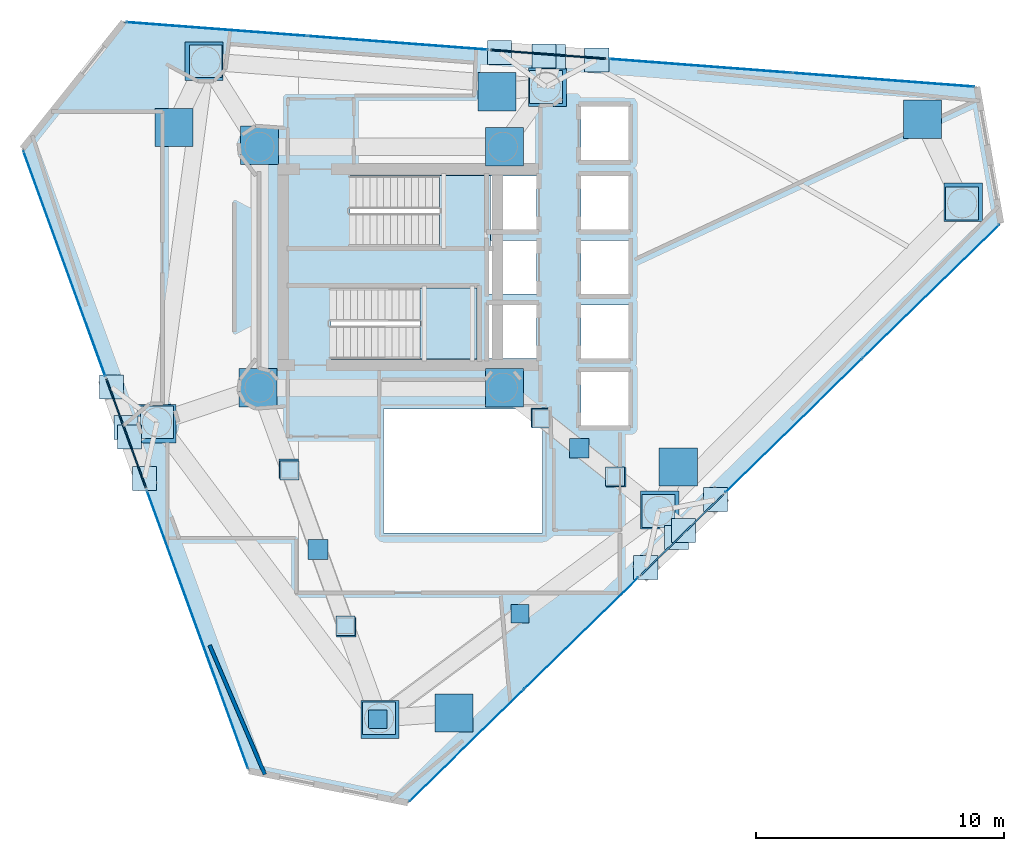
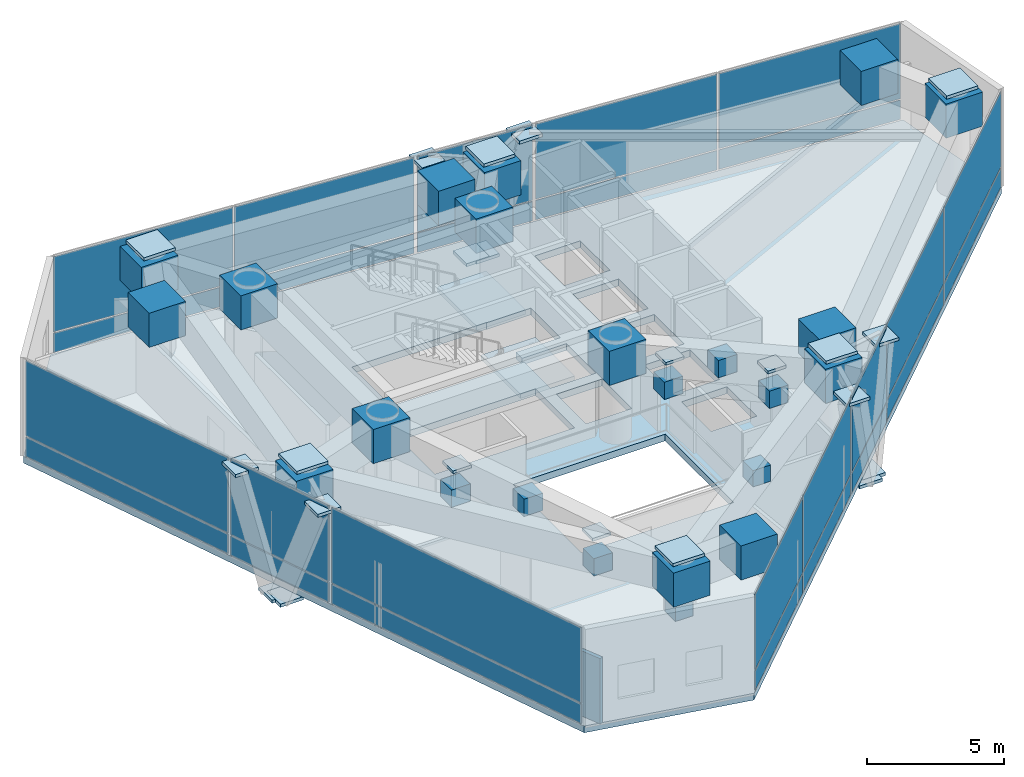
# One storey, part 15 of 20: 71 plates, 3 slabs, 1 wall, 11 elements without a shape of their own.
"""IFC4 building model written with IfcOpenShell, lengths in metres."""

from ifc_helpers import new_model, si_unit, direction, frame, frame_2d, origin, origin_2d, place, context, subcontext, project, spatial, polyline, rectangle, outline, extrude, material, layer, layer_set, type_object, element, aggregate, save


model = new_model("IFC4")

# Units and contexts
model_context = context("Model", 3, precision=1e-05, world=origin(), true_north=direction((0.0, 1.0)))
body_context = subcontext(model_context, "Body", "Model", "MODEL_VIEW")
ifc_project = project(units=[si_unit("LENGTHUNIT", "METRE"), si_unit("AREAUNIT", "SQUARE_METRE"), si_unit("VOLUMEUNIT", "CUBIC_METRE"), si_unit("PLANEANGLEUNIT", "RADIAN"), si_unit("MASSUNIT", "GRAM", prefix="KILO")], contexts=[model_context])

# Site, building, storey
site_placement = place(None, origin())
site = spatial("IfcSite", under=ifc_project, at=site_placement, CompositionType="ELEMENT")
building_placement = place(site_placement, origin())
building = spatial("IfcBuilding", under=site, at=building_placement, Name="Qianvela Tower", CompositionType="ELEMENT")
storey_placement = place(building_placement, frame((0.0, 0.0, 229.89990234375)))
storey = spatial("IfcBuildingStorey", under=building, at=storey_placement, Name="L59", CompositionType="ELEMENT", Elevation=229.89990234375)

# Curtain wall, plates
ifc_material_1 = material(Name="Anodised Architectural Aluminium and Insulated Spandrel Panel", Category="aluminium")
ifc_layer_1 = layer(ifc_material_1, 0.179931640625)
ifc_layer_set_1 = layer_set([ifc_layer_1], Name="Anodised Architectural Aluminium and Insulated Spandrel Panel")
curtain_wall_type_1 = type_object("IfcCurtainWallType", Name="CW-BRACEBAY", PredefinedType="USERDEFINED", material=ifc_layer_set_1)
curtain_wall_1_placement = place(storey_placement, origin())
curtain_wall_1 = element("IfcCurtainWall", 1, at=curtain_wall_1_placement, inside=storey, type_object=curtain_wall_type_1, Name="L59 CW-BRACEBAY Curtain Wall 02B", ObjectType="CURTAIN_WALL_SYSTEM", PredefinedType="USERDEFINED")
ifc_material_2 = material(Name="Insulated Aluminium Spandrel Panel with Mineral-Wool Backpan", Category="aluminium")
ifc_layer_2 = layer(ifc_material_2, 0.06005859375)
ifc_layer_set_2 = layer_set([ifc_layer_2], Name="Insulated Aluminium Spandrel Panel with Mineral-Wool Backpan")
plate_type_1 = type_object("IfcPlateType", Name="CW-BRACEBAY-PNL", PredefinedType="CURTAIN_PANEL", material=ifc_layer_set_2)
plate_1_placement = place(storey_placement, frame((40.22998046875, 37.2744140625, 0.065185546875), z_axis=(0.0, 0.0, 1.0), x_axis=(-0.997115452113, 0.075899770469, 0.0)))
plate_1 = element("IfcPlate", 2, at=plate_1_placement, type_object=plate_type_1, Name="CW-9 panel 1.1", PredefinedType="CURTAIN_PANEL", context=body_context, shape_type="SweptSolid", body=[
    extrude(rectangle(XDim=4.64990234375, YDim=0.06005859375, at=origin_2d()), origin(), (0.0, 0.0, 1.0), 0.8525390625),
])
plate_2_placement = place(storey_placement, frame((40.22998046875, 37.2744140625, 0.982666015625), z_axis=(0.0, 0.0, 1.0), x_axis=(-0.997115452113, 0.075899770469, 0.0)))
plate_2 = element("IfcPlate", 3, at=plate_2_placement, type_object=plate_type_1, Name="CW-9 panel 1.2", PredefinedType="CURTAIN_PANEL", context=body_context, shape_type="SweptSolid", body=[
    extrude(rectangle(XDim=4.64990234375, YDim=0.06005859375, at=origin_2d()), origin(), (0.0, 0.0, 1.0), 3.33251953125),
])
aggregate(curtain_wall_1, [plate_1, plate_2])

curtain_wall_2_placement = place(storey_placement, origin())
curtain_wall_2 = element("IfcCurtainWall", 4, at=curtain_wall_2_placement, inside=storey, type_object=curtain_wall_type_1, Name="L59 CW-BRACEBAY Curtain Wall 04B", ObjectType="CURTAIN_WALL_SYSTEM", PredefinedType="USERDEFINED")
plate_3_placement = place(storey_placement, frame((23.227294921875, 22.005859375, 0.065185546875), z_axis=(0.0, 0.0, 1.0), x_axis=(0.342026333446, -0.939690367743, 0.0)))
plate_3 = element("IfcPlate", 5, at=plate_3_placement, type_object=plate_type_1, Name="CW-9 panel 1.1", PredefinedType="CURTAIN_PANEL", context=body_context, shape_type="SweptSolid", body=[
    extrude(rectangle(XDim=4.659912109375, YDim=0.06005859375, at=origin_2d()), origin(), (0.0, 0.0, 1.0), 0.8525390625),
])
plate_4_placement = place(storey_placement, frame((23.227294921875, 22.005859375, 0.982666015625), z_axis=(0.0, 0.0, 1.0), x_axis=(0.342026333446, -0.939690367743, 0.0)))
plate_4 = element("IfcPlate", 6, at=plate_4_placement, type_object=plate_type_1, Name="CW-9 panel 1.2", PredefinedType="CURTAIN_PANEL", context=body_context, shape_type="SweptSolid", body=[
    extrude(rectangle(XDim=4.659912109375, YDim=0.06005859375, at=origin_2d()), origin(), (0.0, 0.0, 1.0), 3.33251953125),
])
aggregate(curtain_wall_2, [plate_3, plate_4])

curtain_wall_3_placement = place(storey_placement, origin())
curtain_wall_3 = element("IfcCurtainWall", 7, at=curtain_wall_3_placement, inside=storey, type_object=curtain_wall_type_1, Name="L59 CW-BRACEBAY Curtain Wall 06B", ObjectType="CURTAIN_WALL_SYSTEM", PredefinedType="USERDEFINED")
plate_5_placement = place(storey_placement, frame((45.610595703125, 17.917724609375, 0.065185546875), z_axis=(0.0, 0.0, 1.0), x_axis=(0.715057454953, 0.699065687984, 0.0)))
plate_5 = element("IfcPlate", 8, at=plate_5_placement, type_object=plate_type_1, Name="CW-9 panel 1.1", PredefinedType="CURTAIN_PANEL", context=body_context, shape_type="SweptSolid", body=[
    extrude(rectangle(XDim=4.659912109375, YDim=0.06005859375, at=origin_2d()), origin(), (0.0, 0.0, 1.0), 0.8525390625),
])
plate_6_placement = place(storey_placement, frame((45.610595703125, 17.917724609375, 0.982666015625), z_axis=(0.0, 0.0, 1.0), x_axis=(0.715057454953, 0.699065687984, 0.0)))
plate_6 = element("IfcPlate", 9, at=plate_6_placement, type_object=plate_type_1, Name="CW-9 panel 1.2", PredefinedType="CURTAIN_PANEL", context=body_context, shape_type="SweptSolid", body=[
    extrude(rectangle(XDim=4.659912109375, YDim=0.06005859375, at=origin_2d()), origin(), (0.0, 0.0, 1.0), 3.33251953125),
])
aggregate(curtain_wall_3, [plate_5, plate_6])

ifc_material_3 = material(Name="Anodised Architectural Aluminium and Low-E Glass", Category="aluminium")
ifc_layer_3 = layer(ifc_material_3, 0.159912109375)
ifc_layer_set_3 = layer_set([ifc_layer_3], Name="Anodised Architectural Aluminium and Low-E Glass")
curtain_wall_type_2 = type_object("IfcCurtainWallType", Name="CW-COLIV-Z56", PredefinedType="USERDEFINED", material=ifc_layer_set_3)
curtain_wall_4_placement = place(storey_placement, origin())
curtain_wall_4 = element("IfcCurtainWall", 10, at=curtain_wall_4_placement, inside=storey, type_object=curtain_wall_type_2, Name="L59 CW-COLIV-Z56 Curtain Wall 02A", ObjectType="CURTAIN_WALL_SYSTEM", PredefinedType="USERDEFINED")
ifc_material_4 = material(Name="Double-Silver Low-E Insulated Glass", Category="glass")
ifc_layer_4 = layer(ifc_material_4, 0.028076171875)
ifc_layer_set_4 = layer_set([ifc_layer_4], Name="Double-Silver Low-E Insulated Glass")
plate_type_2 = type_object("IfcPlateType", Name="CW-COLIV-Z56-PNL", PredefinedType="CURTAIN_PANEL", material=ifc_layer_set_4)
plate_7_placement = place(storey_placement, frame((53.71728515625, 36.247802734375, 0.06005859375), z_axis=(0.0, 0.0, 1.0), x_axis=(-0.99711560007, 0.075897826699, 0.0)))
plate_7 = element("IfcPlate", 11, at=plate_7_placement, type_object=plate_type_2, Name="CW-5 panel 1.1", PredefinedType="CURTAIN_PANEL", context=body_context, shape_type="SweptSolid", body=[
    extrude(rectangle(XDim=7.33740234375, YDim=0.028076171875, at=origin_2d()), origin(), (0.0, 0.0, 1.0), 0.860107421875),
])
plate_8_placement = place(storey_placement, frame((53.71728515625, 36.247802734375, 0.97998046875), z_axis=(0.0, 0.0, 1.0), x_axis=(-0.99711560007, 0.075897826699, 0.0)))
plate_8 = element("IfcPlate", 12, at=plate_8_placement, type_object=plate_type_2, Name="CW-5 panel 1.2", PredefinedType="CURTAIN_PANEL", context=body_context, shape_type="SweptSolid", body=[
    extrude(rectangle(XDim=7.33740234375, YDim=0.028076171875, at=origin_2d()), origin(), (0.0, 0.0, 1.0), 3.340087890625),
])
plate_9_placement = place(storey_placement, frame((46.336181640625, 36.8095703125, 0.06005859375), z_axis=(0.0, 0.0, 1.0), x_axis=(-0.99711560007, 0.075897826699, 0.0)))
plate_9 = element("IfcPlate", 13, at=plate_9_placement, type_object=plate_type_2, Name="CW-5 panel 2.1", PredefinedType="CURTAIN_PANEL", context=body_context, shape_type="SweptSolid", body=[
    extrude(rectangle(XDim=7.33740234375, YDim=0.028076171875, at=origin_2d()), origin(), (0.0, 0.0, 1.0), 0.860107421875),
])
plate_10_placement = place(storey_placement, frame((46.336181640625, 36.8095703125, 0.97998046875), z_axis=(0.0, 0.0, 1.0), x_axis=(-0.99711560007, 0.075897826699, 0.0)))
plate_10 = element("IfcPlate", 14, at=plate_10_placement, type_object=plate_type_2, Name="CW-5 panel 2.2", PredefinedType="CURTAIN_PANEL", context=body_context, shape_type="SweptSolid", body=[
    extrude(rectangle(XDim=7.33740234375, YDim=0.028076171875, at=origin_2d()), origin(), (0.0, 0.0, 1.0), 3.340087890625),
])
aggregate(curtain_wall_4, [plate_7, plate_8, plate_9, plate_10])

curtain_wall_5_placement = place(storey_placement, origin())
curtain_wall_5 = element("IfcCurtainWall", 15, at=curtain_wall_5_placement, inside=storey, type_object=curtain_wall_type_2, Name="L59 CW-COLIV-Z56 Curtain Wall 02C", ObjectType="CURTAIN_WALL_SYSTEM", PredefinedType="USERDEFINED")
plate_11_placement = place(storey_placement, frame((34.163330078125, 37.736328125, 0.06005859375), z_axis=(0.0, 0.0, 1.0), x_axis=(-0.997115184032, 0.075903292234, 0.0)))
plate_11 = element("IfcPlate", 16, at=plate_11_placement, type_object=plate_type_2, Name="CW-5 panel 1.1", PredefinedType="CURTAIN_PANEL", context=body_context, shape_type="SweptSolid", body=[
    extrude(rectangle(XDim=7.258544921875, YDim=0.028076171875, at=origin_2d()), origin(), (0.0, 0.0, 1.0), 0.860107421875),
])
plate_12_placement = place(storey_placement, frame((34.163330078125, 37.736328125, 0.97998046875), z_axis=(0.0, 0.0, 1.0), x_axis=(-0.997115184032, 0.075903292234, 0.0)))
plate_12 = element("IfcPlate", 17, at=plate_12_placement, type_object=plate_type_2, Name="CW-5 panel 1.2", PredefinedType="CURTAIN_PANEL", context=body_context, shape_type="SweptSolid", body=[
    extrude(rectangle(XDim=7.258544921875, YDim=0.028076171875, at=origin_2d()), origin(), (0.0, 0.0, 1.0), 3.340087890625),
])
plate_13_placement = place(storey_placement, frame((26.86083984375, 38.2919921875, 0.06005859375), z_axis=(0.0, 0.0, 1.0), x_axis=(-0.997115184032, 0.075903292234, 0.0)))
plate_13 = element("IfcPlate", 18, at=plate_13_placement, type_object=plate_type_2, Name="CW-5 panel 2.1", PredefinedType="CURTAIN_PANEL", context=body_context, shape_type="SweptSolid", body=[
    extrude(rectangle(XDim=7.258544921875, YDim=0.028076171875, at=origin_2d()), origin(), (0.0, 0.0, 1.0), 0.860107421875),
])
plate_14_placement = place(storey_placement, frame((26.86083984375, 38.2919921875, 0.97998046875), z_axis=(0.0, 0.0, 1.0), x_axis=(-0.997115184032, 0.075903292234, 0.0)))
plate_14 = element("IfcPlate", 19, at=plate_14_placement, type_object=plate_type_2, Name="CW-5 panel 2.2", PredefinedType="CURTAIN_PANEL", context=body_context, shape_type="SweptSolid", body=[
    extrude(rectangle(XDim=7.258544921875, YDim=0.028076171875, at=origin_2d()), origin(), (0.0, 0.0, 1.0), 3.340087890625),
])
aggregate(curtain_wall_5, [plate_11, plate_12, plate_13, plate_14])

curtain_wall_6_placement = place(storey_placement, origin())
curtain_wall_6 = element("IfcCurtainWall", 20, at=curtain_wall_6_placement, inside=storey, type_object=curtain_wall_type_2, Name="L59 CW-COLIV-Z56 Curtain Wall 04A", ObjectType="CURTAIN_WALL_SYSTEM", PredefinedType="USERDEFINED")
plate_15_placement = place(storey_placement, frame((20.739013671875, 28.842041015625, 0.06005859375), z_axis=(0.0, 0.0, 1.0), x_axis=(0.342018640871, -0.939693167633, 0.0)))
plate_15 = element("IfcPlate", 21, at=plate_15_placement, type_object=plate_type_2, Name="CW-5 panel 1.1", PredefinedType="CURTAIN_PANEL", context=body_context, shape_type="SweptSolid", body=[
    extrude(rectangle(XDim=9.6298828125, YDim=0.028076171875, at=origin_2d()), origin(), (0.0, 0.0, 1.0), 0.860107421875),
])
plate_16_placement = place(storey_placement, frame((20.739013671875, 28.842041015625, 0.97998046875), z_axis=(0.0, 0.0, 1.0), x_axis=(0.342018640871, -0.939693167633, 0.0)))
plate_16 = element("IfcPlate", 22, at=plate_16_placement, type_object=plate_type_2, Name="CW-5 panel 1.2", PredefinedType="CURTAIN_PANEL", context=body_context, shape_type="SweptSolid", body=[
    extrude(rectangle(XDim=9.6298828125, YDim=0.028076171875, at=origin_2d()), origin(), (0.0, 0.0, 1.0), 3.340087890625),
])
aggregate(curtain_wall_6, [plate_15, plate_16])

curtain_wall_7_placement = place(storey_placement, origin())
curtain_wall_7 = element("IfcCurtainWall", 23, at=curtain_wall_7_placement, inside=storey, type_object=curtain_wall_type_2, Name="L59 CW-COLIV-Z56 Curtain Wall 04C", ObjectType="CURTAIN_WALL_SYSTEM", PredefinedType="USERDEFINED")
plate_17_placement = place(storey_placement, frame((26.101318359375, 14.109375, 0.06005859375), z_axis=(0.0, 0.0, 1.0), x_axis=(0.34201700593, -0.939693762699, 0.0)))
plate_17 = element("IfcPlate", 24, at=plate_17_placement, type_object=plate_type_2, Name="CW-5 panel 1.1", PredefinedType="CURTAIN_PANEL", context=body_context, shape_type="SweptSolid", body=[
    extrude(rectangle(XDim=11.886474609375, YDim=0.028076171875, at=origin_2d()), origin(), (0.0, 0.0, 1.0), 0.860107421875),
])
plate_18_placement = place(storey_placement, frame((26.101318359375, 14.109375, 0.97998046875), z_axis=(0.0, 0.0, 1.0), x_axis=(0.34201700593, -0.939693762699, 0.0)))
plate_18 = element("IfcPlate", 25, at=plate_18_placement, type_object=plate_type_2, Name="CW-5 panel 1.2", PredefinedType="CURTAIN_PANEL", context=body_context, shape_type="SweptSolid", body=[
    extrude(rectangle(XDim=11.886474609375, YDim=0.028076171875, at=origin_2d()), origin(), (0.0, 0.0, 1.0), 3.340087890625),
])
aggregate(curtain_wall_7, [plate_17, plate_18])

curtain_wall_8_placement = place(storey_placement, origin())
curtain_wall_8 = element("IfcCurtainWall", 26, at=curtain_wall_8_placement, inside=storey, type_object=curtain_wall_type_2, Name="L59 CW-COLIV-Z56 Curtain Wall 06A", ObjectType="CURTAIN_WALL_SYSTEM", PredefinedType="USERDEFINED")
plate_19_placement = place(storey_placement, frame((36.943359375, 9.444091796875, 0.06005859375), z_axis=(0.0, 0.0, 1.0), x_axis=(0.715044807452, 0.699078624574, 0.0)))
plate_19 = element("IfcPlate", 27, at=plate_19_placement, type_object=plate_type_2, Name="CW-5 panel 1.1", PredefinedType="CURTAIN_PANEL", context=body_context, shape_type="SweptSolid", body=[
    extrude(rectangle(XDim=6.3974609375, YDim=0.028076171875, at=origin_2d()), origin(), (0.0, 0.0, 1.0), 0.860107421875),
])
plate_20_placement = place(storey_placement, frame((36.943359375, 9.444091796875, 0.97998046875), z_axis=(0.0, 0.0, 1.0), x_axis=(0.715044807452, 0.699078624574, 0.0)))
plate_20 = element("IfcPlate", 28, at=plate_20_placement, type_object=plate_type_2, Name="CW-5 panel 1.2", PredefinedType="CURTAIN_PANEL", context=body_context, shape_type="SweptSolid", body=[
    extrude(rectangle(XDim=6.3974609375, YDim=0.028076171875, at=origin_2d()), origin(), (0.0, 0.0, 1.0), 3.340087890625),
])
plate_21_placement = place(storey_placement, frame((41.564208984375, 13.9619140625, 0.06005859375), z_axis=(0.0, 0.0, 1.0), x_axis=(0.715044807452, 0.699078624574, 0.0)))
plate_21 = element("IfcPlate", 29, at=plate_21_placement, type_object=plate_type_2, Name="CW-5 panel 2.1", PredefinedType="CURTAIN_PANEL", context=body_context, shape_type="SweptSolid", body=[
    extrude(rectangle(XDim=6.3974609375, YDim=0.028076171875, at=origin_2d()), origin(), (0.0, 0.0, 1.0), 0.860107421875),
])
plate_22_placement = place(storey_placement, frame((41.564208984375, 13.9619140625, 0.97998046875), z_axis=(0.0, 0.0, 1.0), x_axis=(0.715044807452, 0.699078624574, 0.0)))
plate_22 = element("IfcPlate", 30, at=plate_22_placement, type_object=plate_type_2, Name="CW-5 panel 2.2", PredefinedType="CURTAIN_PANEL", context=body_context, shape_type="SweptSolid", body=[
    extrude(rectangle(XDim=6.3974609375, YDim=0.028076171875, at=origin_2d()), origin(), (0.0, 0.0, 1.0), 3.340087890625),
])
aggregate(curtain_wall_8, [plate_19, plate_20, plate_21, plate_22])

curtain_wall_9_placement = place(storey_placement, origin())
curtain_wall_9 = element("IfcCurtainWall", 31, at=curtain_wall_9_placement, inside=storey, type_object=curtain_wall_type_2, Name="L59 CW-COLIV-Z56 Curtain Wall 06C", ObjectType="CURTAIN_WALL_SYSTEM", PredefinedType="USERDEFINED")
plate_23_placement = place(storey_placement, frame((50.10888671875, 22.3154296875, 0.06005859375), z_axis=(0.0, 0.0, 1.0), x_axis=(0.715045895154, 0.699077512028, 0.0)))
plate_23 = element("IfcPlate", 32, at=plate_23_placement, type_object=plate_type_2, Name="CW-5 panel 1.1", PredefinedType="CURTAIN_PANEL", context=body_context, shape_type="SweptSolid", body=[
    extrude(rectangle(XDim=7.66162109375, YDim=0.028076171875, at=origin_2d()), origin(), (0.0, 0.0, 1.0), 0.860107421875),
])
plate_24_placement = place(storey_placement, frame((50.10888671875, 22.3154296875, 0.97998046875), z_axis=(0.0, 0.0, 1.0), x_axis=(0.715045895154, 0.699077512028, 0.0)))
plate_24 = element("IfcPlate", 33, at=plate_24_placement, type_object=plate_type_2, Name="CW-5 panel 1.2", PredefinedType="CURTAIN_PANEL", context=body_context, shape_type="SweptSolid", body=[
    extrude(rectangle(XDim=7.66162109375, YDim=0.028076171875, at=origin_2d()), origin(), (0.0, 0.0, 1.0), 3.340087890625),
])
plate_25_placement = place(storey_placement, frame((55.633544921875, 27.717041015625, 0.06005859375), z_axis=(0.0, 0.0, 1.0), x_axis=(0.715045895154, 0.699077512028, 0.0)))
plate_25 = element("IfcPlate", 34, at=plate_25_placement, type_object=plate_type_2, Name="CW-5 panel 2.1", PredefinedType="CURTAIN_PANEL", context=body_context, shape_type="SweptSolid", body=[
    extrude(rectangle(XDim=7.66162109375, YDim=0.028076171875, at=origin_2d()), origin(), (0.0, 0.0, 1.0), 0.860107421875),
])
plate_26_placement = place(storey_placement, frame((55.633544921875, 27.717041015625, 0.97998046875), z_axis=(0.0, 0.0, 1.0), x_axis=(0.715045895154, 0.699077512028, 0.0)))
plate_26 = element("IfcPlate", 35, at=plate_26_placement, type_object=plate_type_2, Name="CW-5 panel 2.2", PredefinedType="CURTAIN_PANEL", context=body_context, shape_type="SweptSolid", body=[
    extrude(rectangle(XDim=7.66162109375, YDim=0.028076171875, at=origin_2d()), origin(), (0.0, 0.0, 1.0), 3.340087890625),
])
aggregate(curtain_wall_9, [plate_23, plate_24, plate_25, plate_26])

# Plates
ifc_material_5 = material(Name="Steel Q420GJC", Category="steel")
ifc_layer_5 = layer(ifc_material_5, 0.1298828125)
ifc_layer_set_5 = layer_set([ifc_layer_5], Name="Steel Q420GJC")
plate_type_3 = type_object("IfcPlateType", Name="PT-ENDCAP-130", PredefinedType="USERDEFINED", material=ifc_layer_set_5)
for number, where, z_axis, x_axis, name in (
    (36, (29.80322265625, 20.520263671875, 3.673095703125), (0.0, 0.0, 1.0), (1.0, 0.0, 0.0), "L59 Hollow Section End Cap Plate B"),
    (37, (32.0654296875, 14.26025390625, 3.673095703125), (0.0, 0.0, 1.0), (1.0, 0.0, 0.0), "L59 Hollow Section End Cap Plate B"),
    (38, (39.966796875, 22.6083984375, 3.673095703125), (0.0, 0.0, 1.0), (1.0, 0.0, 0.0), "L59 Hollow Section End Cap Plate B"),
    (39, (42.912109375, 20.273681640625, 3.673095703125), (0.0, 0.0, 1.0), (1.0, 0.0, 0.0), "L59 Hollow Section End Cap Plate B"),
):
    element("IfcPlate", number, at=place(storey_placement, frame(where, z_axis=z_axis, x_axis=x_axis)), inside=storey, type_object=plate_type_3, Name=name, ObjectType="END_CAP", PredefinedType="USERDEFINED", context=body_context, shape_type="SweptSolid", body=[
        extrude(rectangle(XDim=0.77001953125, YDim=0.77001953125, at=origin_2d()), origin(), (0.0, 0.0, 1.0), 0.1298828125),
    ])
ifc_material_6 = material(Name="Steel Q420GJC", Category="steel")
ifc_layer_6 = layer(ifc_material_6, 0.139892578125)
ifc_layer_set_6 = layer_set([ifc_layer_6], Name="Steel Q420GJC")
plate_type_4 = type_object("IfcPlateType", Name="PT-GUSSET-NODE-140", PredefinedType="USERDEFINED", material=ifc_layer_set_6)
for number, where, z_axis, x_axis, name in (
    (40, (56.89697265625, 31.27001953125, 4.59521484375), (0.0, 0.0, 1.0), (1.0, 0.0, 0.0), "L59 Node Gusset Plate TOP"),
    (41, (40.131103515625, 35.9580078125, 4.59521484375), (0.0, 0.0, 1.0), (1.0, 0.0, 0.0), "L59 Node Gusset Plate TOP"),
    (42, (26.430908203125, 36.991943359375, 4.59521484375), (0.0, 0.0, 1.0), (1.0, 0.0, 0.0), "L59 Node Gusset Plate TOP"),
    (43, (24.471923828125, 22.4599609375, 4.59521484375), (0.0, 0.0, 1.0), (1.0, 0.0, 0.0), "L59 Node Gusset Plate TOP"),
    (44, (33.4130859375, 10.531005859375, 4.59521484375), (0.0, 0.0, 1.0), (1.0, 0.0, 0.0), "L59 Node Gusset Plate TOP"),
    (45, (44.6669921875, 18.883056640625, 4.59521484375), (0.0, 0.0, 1.0), (1.0, 0.0, 0.0), "L59 Node Gusset Plate TOP"),
):
    element("IfcPlate", number, at=place(storey_placement, frame(where, z_axis=z_axis, x_axis=x_axis)), inside=storey, type_object=plate_type_4, Name=name, ObjectType="GUSSET_PLATE", PredefinedType="USERDEFINED", context=body_context, shape_type="SweptSolid", body=[
        extrude(rectangle(XDim=1.320068359375, YDim=1.320068359375, at=origin_2d()), origin(), (0.0, 0.0, 1.0), 0.139892578125),
    ])
for number, where, z_axis, x_axis, name in (
    (46, (40.443359375, 37.177978515625, -0.73291015625), (0.0, 0.0, 1.0), (1.0, 0.0, 0.0), "L59 Node Gusset Plate A"),
    (47, (42.18017578125, 37.0458984375, 4.0693359375), (0.0, 0.0, 1.0), (1.0, 0.0, 0.0), "L59 Node Gusset Plate B"),
    (48, (40.04931640625, 37.2080078125, -0.73291015625), (0.0, 0.0, 1.0), (1.0, 0.0, 0.0), "L59 Node Gusset Plate A"),
    (49, (38.26953125, 37.343505859375, 4.06884765625), (0.0, 0.0, 1.0), (1.0, 0.0, 0.0), "L59 Node Gusset Plate B"),
    (50, (23.22705078125, 22.240234375, -0.73291015625), (0.0, 0.0, 1.0), (1.0, 0.0, 0.0), "L59 Node Gusset Plate A"),
    (51, (22.63134765625, 23.876708984375, 4.0693359375), (0.0, 0.0, 1.0), (1.0, 0.0, 0.0), "L59 Node Gusset Plate B"),
    (52, (23.3623046875, 21.868896484375, -0.73291015625), (0.0, 0.0, 1.0), (1.0, 0.0, 0.0), "L59 Node Gusset Plate A"),
    (53, (23.97265625, 20.19140625, 4.06884765625), (0.0, 0.0, 1.0), (1.0, 0.0, 0.0), "L59 Node Gusset Plate B"),
    (54, (45.3974609375, 17.8212890625, -0.73291015625), (0.0, 0.0, 1.0), (1.0, 0.0, 0.0), "L59 Node Gusset Plate A"),
    (55, (44.15283203125, 16.604248046875, 4.0693359375), (0.0, 0.0, 1.0), (1.0, 0.0, 0.0), "L59 Node Gusset Plate B"),
    (56, (45.679931640625, 18.09765625, -0.73291015625), (0.0, 0.0, 1.0), (1.0, 0.0, 0.0), "L59 Node Gusset Plate A"),
    (57, (46.95703125, 19.345947265625, 4.06884765625), (0.0, 0.0, 1.0), (1.0, 0.0, 0.0), "L59 Node Gusset Plate B"),
):
    element("IfcPlate", number, at=place(storey_placement, frame(where, z_axis=z_axis, x_axis=x_axis)), inside=storey, type_object=plate_type_4, Name=name, ObjectType="GUSSET_PLATE", PredefinedType="USERDEFINED", context=body_context, shape_type="SweptSolid", body=[
        extrude(rectangle(XDim=0.969970703125, YDim=0.969970703125, at=origin_2d()), origin(), (0.0, 0.0, 1.0), 0.139892578125),
    ])
for number, where, z_axis, x_axis, name in (
    (58, (28.534912109375, 23.85009765625, 2.91796875), (0.0, 0.0, 1.0), (1.0, 0.0, 0.0), "L59 Node Gusset Plate A"),
    (59, (38.465087890625, 23.85009765625, 2.91796875), (0.0, 0.0, 1.0), (1.0, 0.0, 0.0), "L59 Node Gusset Plate B"),
    (60, (28.60009765625, 33.614990234375, 2.91796875), (0.0, 0.0, 1.0), (1.0, 0.0, 0.0), "L59 Node Gusset Plate A"),
    (61, (38.465087890625, 33.550048828125, 2.91796875), (0.0, 0.0, 1.0), (1.0, 0.0, 0.0), "L59 Node Gusset Plate B"),
    (62, (40.19580078125, 35.953125, 2.91796875), (0.0, 0.0, 1.0), (1.0, 0.0, 0.0), "L59 Node Gusset Plate A"),
    (63, (26.3662109375, 36.996826171875, 2.91796875), (0.0, 0.0, 1.0), (1.0, 0.0, 0.0), "L59 Node Gusset Plate B"),
    (64, (24.46337890625, 22.3955078125, 2.91796875), (0.0, 0.0, 1.0), (1.0, 0.0, 0.0), "L59 Node Gusset Plate B"),
    (65, (33.451904296875, 10.47900390625, 2.91796875), (0.0, 0.0, 1.0), (1.0, 0.0, 0.0), "L59 Node Gusset Plate B"),
    (66, (44.71923828125, 18.921630859375, 2.91796875), (0.0, 0.0, 1.0), (1.0, 0.0, 0.0), "L59 Node Gusset Plate B"),
):
    element("IfcPlate", number, at=place(storey_placement, frame(where, z_axis=z_axis, x_axis=x_axis)), inside=storey, type_object=plate_type_4, Name=name, ObjectType="GUSSET_PLATE", PredefinedType="USERDEFINED", context=body_context, shape_type="SweptSolid", body=[
        extrude(rectangle(XDim=1.5400390625, YDim=1.5400390625, at=origin_2d()), origin(), (0.0, 0.0, 1.0), 1.52001953125),
    ])
for number, where, z_axis, x_axis, name in (
    (67, (33.36181640625, 10.492919921875, 1.927734375), (0.0, 0.0, 1.0), (1.0, 0.0, 0.0), "L59 Node Gusset Plate A"),
    (68, (39.09130859375, 14.7451171875, 3.33056640625), (0.0, 0.0, 1.0), (1.0, 0.0, 0.0), "L59 Node Gusset Plate B"),
):
    element("IfcPlate", number, at=place(storey_placement, frame(where, z_axis=z_axis, x_axis=x_axis)), inside=storey, type_object=plate_type_4, Name=name, ObjectType="GUSSET_PLATE", PredefinedType="USERDEFINED", context=body_context, shape_type="SweptSolid", body=[
        extrude(rectangle(XDim=0.739990234375, YDim=0.739990234375, at=origin_2d()), origin(), (0.0, 0.0, 1.0), 0.719970703125),
    ])
plate_27_placement = place(storey_placement, frame((56.942626953125, 31.31640625, 2.91796875), z_axis=(0.0, 0.0, 1.0), x_axis=(1.0, 0.0, 0.0)))
element("IfcPlate", 69, at=plate_27_placement, inside=storey, type_object=plate_type_4, Name="L59 Node Gusset Plate B", ObjectType="GUSSET_PLATE", PredefinedType="USERDEFINED", context=body_context, shape_type="SweptSolid", body=[
    extrude(rectangle(XDim=1.5400390625, YDim=1.5400390625, at=origin_2d()), origin(), (0.0, 0.0, 1.0), 1.52001953125),
])
for number, where, z_axis, x_axis, name in (
    (70, (29.7822265625, 20.578369140625, 2.16748046875), (0.0, 0.0, 1.0), (1.0, 0.0, 0.0), "L59 Node Gusset Plate A"),
    (71, (30.955322265625, 17.332275390625, 3.3134765625), (0.0, 0.0, 1.0), (1.0, 0.0, 0.0), "L59 Node Gusset Plate B"),
    (72, (32.086181640625, 14.202392578125, 2.16748046875), (0.0, 0.0, 1.0), (1.0, 0.0, 0.0), "L59 Node Gusset Plate B"),
    (73, (39.9228515625, 22.64306640625, 2.1552734375), (0.0, 0.0, 1.0), (1.0, 0.0, 0.0), "L59 Node Gusset Plate A"),
    (74, (41.4833984375, 21.40625, 3.325927734375), (0.0, 0.0, 1.0), (1.0, 0.0, 0.0), "L59 Node Gusset Plate B"),
    (75, (42.956298828125, 20.239013671875, 2.1552734375), (0.0, 0.0, 1.0), (1.0, 0.0, 0.0), "L59 Node Gusset Plate B"),
):
    element("IfcPlate", number, at=place(storey_placement, frame(where, z_axis=z_axis, x_axis=x_axis)), inside=storey, type_object=plate_type_4, Name=name, ObjectType="GUSSET_PLATE", PredefinedType="USERDEFINED", context=body_context, shape_type="SweptSolid", body=[
        extrude(rectangle(XDim=0.7900390625, YDim=0.7900390625, at=origin_2d()), origin(), (0.0, 0.0, 1.0), 0.77001953125),
    ])
for number, where, z_axis, x_axis, name in (
    (76, (55.304443359375, 34.663818359375, 2.91796875), (0.0, 0.0, 1.0), (1.0, 0.0, 0.0), "L59 Node Gusset Plate B"),
    (77, (38.160400390625, 35.7666015625, 2.91796875), (0.0, 0.0, 1.0), (1.0, 0.0, 0.0), "L59 Node Gusset Plate B"),
    (78, (25.15380859375, 34.325439453125, 2.91796875), (0.0, 0.0, 1.0), (1.0, 0.0, 0.0), "L59 Node Gusset Plate B"),
    (79, (36.433837890625, 10.74658203125, 2.91796875), (0.0, 0.0, 1.0), (1.0, 0.0, 0.0), "L59 Node Gusset Plate B"),
    (80, (45.462646484375, 20.6572265625, 2.91796875), (0.0, 0.0, 1.0), (1.0, 0.0, 0.0), "L59 Node Gusset Plate B"),
):
    element("IfcPlate", number, at=place(storey_placement, frame(where, z_axis=z_axis, x_axis=x_axis)), inside=storey, type_object=plate_type_4, Name=name, ObjectType="GUSSET_PLATE", PredefinedType="USERDEFINED", context=body_context, shape_type="SweptSolid", body=[
        extrude(rectangle(XDim=1.5400390625, YDim=1.5400390625, at=origin_2d()), origin(), (0.0, 0.0, 1.0), 1.52001953125),
    ])

# Stair, slab
ifc_material_7 = material(Name="Concrete C40", Category="concrete")
stair_type = type_object("IfcStairType", Name="ST-DOGLEG-1350-R164-N28", PredefinedType="HALF_TURN_STAIR", material=ifc_material_7)
stair_1_placement = place(storey_placement, origin())
stair_1 = element("IfcStair", 81, at=stair_1_placement, inside=storey, type_object=stair_type, Name="L59 Smoke-Proof Core Stair ST-1", PredefinedType="HALF_TURN_STAIR")
ifc_material_8 = material(Name="Concrete C40", Category="concrete")
ifc_layer_7 = layer(ifc_material_8, 0.199951171875)
ifc_layer_set_7 = layer_set([ifc_layer_7], Name="Concrete C40")
slab_type_1 = type_object("IfcSlabType", Name="SL-STAIR-LANDING-200", PredefinedType="LANDING", material=ifc_layer_set_7)
slab_1_placement = place(storey_placement, frame((0.0, 0.0, 2.10009765625)))
slab_1 = element("IfcSlab", 82, at=slab_1_placement, type_object=slab_type_1, Name="ST-1 landing 1", PredefinedType="LANDING", context=body_context, shape_type="SweptSolid", body=[
    extrude(outline(polyline([(35.840087890625, 29.5400390625), (37.89990234375, 29.5400390625), (37.89990234375, 32.39990234375), (35.840087890625, 32.39990234375), (35.840087890625, 29.5400390625)])), origin(), (0.0, 0.0, 1.0), 0.199951171875),
])
aggregate(stair_1, [slab_1])

stair_2_placement = place(storey_placement, origin())
stair_2 = element("IfcStair", 83, at=stair_2_placement, inside=storey, type_object=stair_type, Name="L59 Smoke-Proof Core Stair ST-2", PredefinedType="HALF_TURN_STAIR")
slab_2_placement = place(storey_placement, frame((0.0, 0.0, 2.10009765625)))
slab_2 = element("IfcSlab", 84, at=slab_2_placement, type_object=slab_type_1, Name="ST-2 landing 1", PredefinedType="LANDING", context=body_context, shape_type="SweptSolid", body=[
    extrude(outline(polyline([(35.06005859375, 25.0), (37.35009765625, 25.0), (37.35009765625, 27.860107421875), (35.06005859375, 27.860107421875), (35.06005859375, 25.0)])), origin(), (0.0, 0.0, 1.0), 0.199951171875),
])
aggregate(stair_2, [slab_2])

# Slab
ifc_material_9 = material(Name="Concrete C40", Category="concrete")
ifc_layer_8 = layer(ifc_material_9, 0.300048828125)
ifc_layer_set_8 = layer_set([ifc_layer_8], Name="Concrete C40")
slab_type_2 = type_object("IfcSlabType", Name="SL-TRANS-300", PredefinedType="FLOOR", material=ifc_layer_set_8)
slab_3_placement = place(storey_placement, frame((0.0, 0.0, -0.2998046875)))
element("IfcSlab", 85, at=slab_3_placement, inside=storey, type_object=slab_type_2, Name="L59 Composite Structural Floor Slab", PredefinedType="FLOOR", context=body_context, shape_type="SweptSolid", body=[
    extrude(outline(polyline([(58.455078125, 30.475341796875), (57.490234375, 35.960693359375), (23.12744140625, 38.576416015625), (19.052978515625, 33.474609375), (28.17333984375, 8.41650390625), (34.57373046875, 7.12744140625), (58.455078125, 30.475341796875)]), holes=[polyline([(40.0, 23.0), (33.60009765625, 23.0), (33.60009765625, 18.0), (40.0, 18.0), (40.0, 23.0)]), polyline([(39.760009765625, 27.179931640625), (37.840087890625, 27.179931640625), (37.840087890625, 25.02001953125), (39.760009765625, 25.02001953125), (39.760009765625, 27.179931640625)]), polyline([(37.35009765625, 27.860107421875), (31.469970703125, 27.860107421875), (31.469970703125, 25.0), (37.35009765625, 25.0), (37.35009765625, 27.860107421875)]), polyline([(37.840087890625, 27.6201171875), (39.760009765625, 27.6201171875), (39.760009765625, 29.780029296875), (37.89990234375, 29.780029296875), (37.89990234375, 30.219970703125), (39.760009765625, 30.219970703125), (39.760009765625, 32.3798828125), (37.89990234375, 32.3798828125), (37.89990234375, 32.39990234375), (32.25, 32.39990234375), (32.25, 29.5400390625), (37.840087890625, 29.5400390625), (37.840087890625, 27.6201171875)]), polyline([(43.4599609375, 22.320068359375), (43.4599609375, 24.47998046875), (41.5400390625, 24.47998046875), (41.5400390625, 22.320068359375), (43.4599609375, 22.320068359375)]), polyline([(43.4599609375, 25.02001953125), (43.4599609375, 27.179931640625), (41.5400390625, 27.179931640625), (41.5400390625, 25.02001953125), (43.4599609375, 25.02001953125)]), polyline([(43.4599609375, 29.780029296875), (41.5400390625, 29.780029296875), (41.5400390625, 27.6201171875), (43.4599609375, 27.6201171875), (43.4599609375, 29.780029296875)]), polyline([(43.4599609375, 30.219970703125), (43.4599609375, 32.3798828125), (41.5400390625, 32.3798828125), (41.5400390625, 30.219970703125), (43.4599609375, 30.219970703125)]), polyline([(43.4599609375, 33.02001953125), (43.4599609375, 35.179931640625), (41.5400390625, 35.179931640625), (41.5400390625, 33.02001953125), (43.4599609375, 33.02001953125)])]), origin(), (0.0, 0.0, 1.0), 0.2998046875),
])

# Wall
ifc_material_10 = material(Name="Fire-Rated Acoustic Gypsum Board")
ifc_layer_9 = layer(ifc_material_10, 0.14990234375)
ifc_layer_set_9 = layer_set([ifc_layer_9], Name="Fire-Rated Acoustic Gypsum Board")
wall_type = type_object("IfcWallType", Name="WT-CORR-150", PredefinedType="PARTITIONING", material=ifc_layer_set_9)
wall_placement = place(storey_placement, frame((28.812744140625, 8.270263671875, 0.0), z_axis=(0.0, 0.0, 1.0), x_axis=(-0.393101782898, 0.919494963707, 0.0)))
element("IfcWall", 86, at=wall_placement, inside=storey, type_object=wall_type, Name="L59 Partition 99 seg 1", PredefinedType="PARTITIONING", context=body_context, shape_type="SweptSolid", body=[
    extrude(rectangle(XDim=5.65966796875, YDim=0.14990234375, at=frame_2d((2.829833984375, 0.0))), origin(), (0.0, 0.0, 1.0), 2.900146484375),
])

save(model, "model.ifc")
